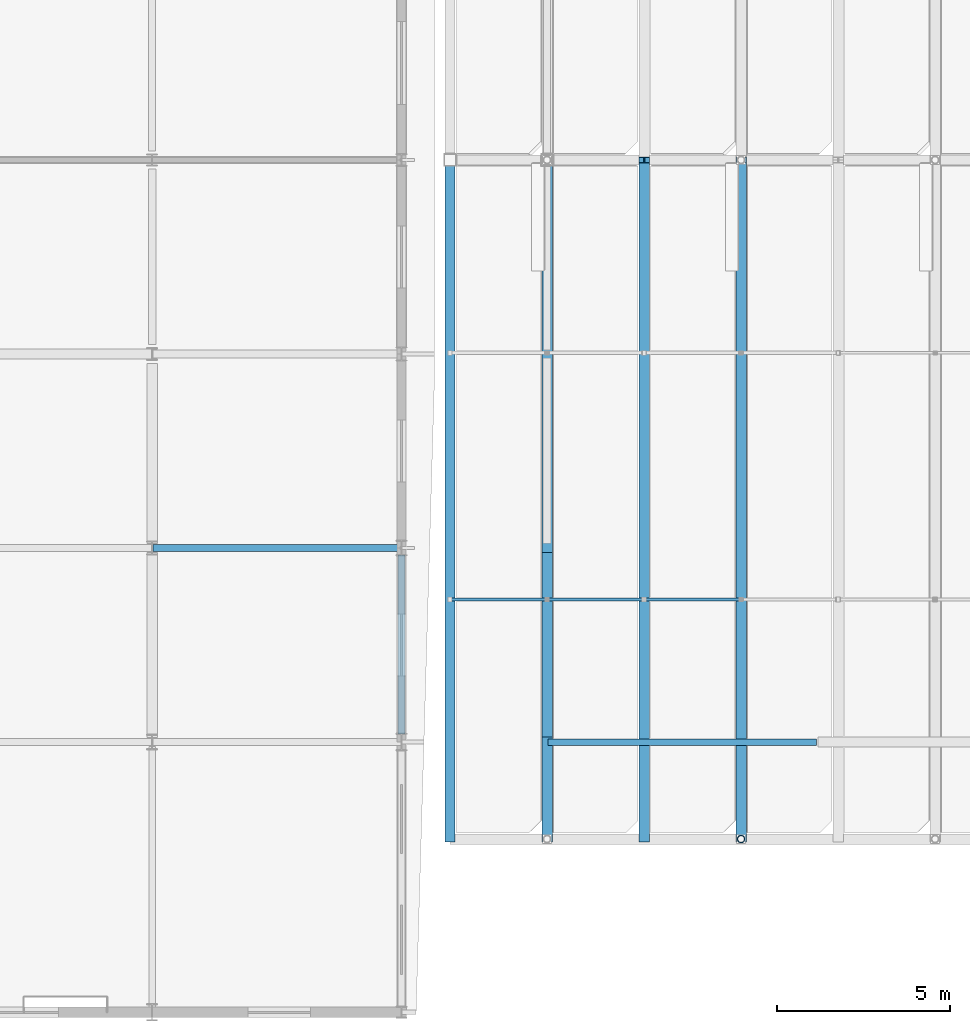
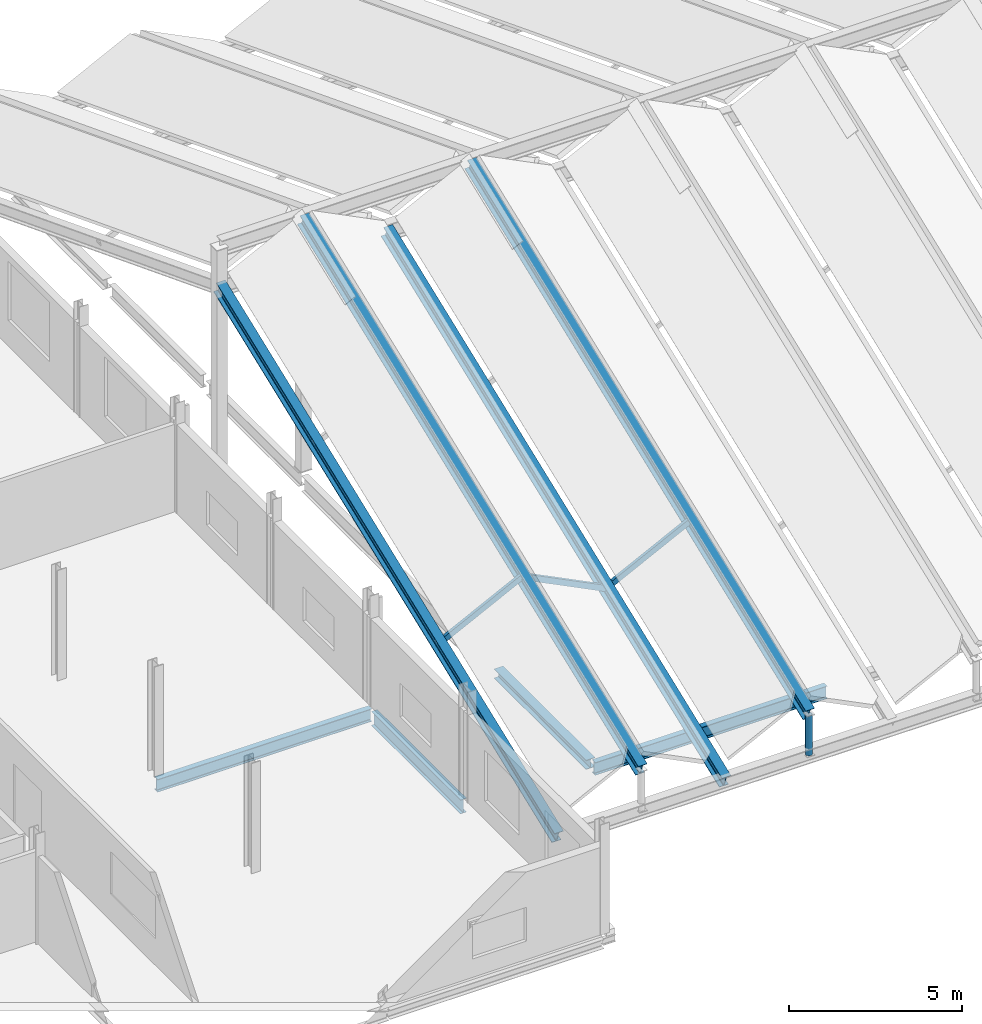
# One storey, part 9 of 49: 8 beams, 4 members.
"""IFC4 building model written with IfcOpenShell, lengths in metres."""

from ifc_helpers import new_model, si_unit, direction, frame, origin, origin_2d, place, context, subcontext, project, spatial, hollow_rectangle, hollow_circle, i_section, extrude, material, material_profile, profile_set, type_object, element, save


model = new_model("IFC4")

# Units and contexts
model_context = context("Model", 3, precision=1e-05, world=origin(), true_north=direction((0.0, 1.0)))
body_context = subcontext(model_context, "Body", "Model", "MODEL_VIEW")
ifc_project = project(units=[si_unit("LENGTHUNIT", "METRE"), si_unit("AREAUNIT", "SQUARE_METRE"), si_unit("VOLUMEUNIT", "CUBIC_METRE"), si_unit("PLANEANGLEUNIT", "RADIAN"), si_unit("MASSUNIT", "GRAM", prefix="KILO")], contexts=[model_context])

# Site, building, storey
site_placement = place(None, origin())
site = spatial("IfcSite", under=ifc_project, at=site_placement, CompositionType="ELEMENT")
building_placement = place(site_placement, origin())
building = spatial("IfcBuilding", under=site, at=building_placement, Name="Vinh Khe Railworks Police Headquarters", CompositionType="ELEMENT")
storey_placement = place(building_placement, frame((0.0, 0.0, 17.10009765625)))
storey = spatial("IfcBuildingStorey", under=building, at=storey_placement, Name="L04", CompositionType="ELEMENT", Elevation=17.10009765625)

# Members
ifc_material = material(Name="Steel S355JR", Category="steel")
ifc_material_profile_1 = material_profile(ifc_material, hollow_rectangle(XDim=0.10009765625, YDim=0.199951171875, WallThickness=0.010009765625, at=origin_2d()), Name="RHS 200x100x10")
ifc_profile_set_1 = profile_set([ifc_material_profile_1], Name="Steel S355JR")
member_type_1 = type_object("IfcMemberType", Name="Roof Purlin RHS 200x100x10", PredefinedType="PURLIN", material=ifc_profile_set_1)
member_1_placement = place(storey_placement, frame((23.60009765625, 29.31396484375, 2.459716796875), z_axis=(0.894427191, 0.0, 0.4472135955), x_axis=(0.0, 1.0, 0.0)))
element("IfcMember", 1, at=member_1_placement, inside=storey, type_object=member_type_1, Name="Folded Roof Purlin 001", PredefinedType="PURLIN", context=body_context, shape_type="SweptSolid", body=[
    extrude(hollow_rectangle(XDim=0.10009765625, YDim=0.199951171875, WallThickness=0.010009765625, at=origin_2d()), origin(), (0.0, 0.0, 1.0), 3.13037109375),
])
member_2_placement = place(storey_placement, frame((26.39990234375, 29.31396484375, 3.859619140625), z_axis=(0.894442788028, 0.0, -0.447182400083), x_axis=(0.0, 1.0, 0.0)))
element("IfcMember", 2, at=member_2_placement, inside=storey, type_object=member_type_1, Name="Folded Roof Purlin 005", PredefinedType="PURLIN", context=body_context, shape_type="SweptSolid", body=[
    extrude(hollow_rectangle(XDim=0.10009765625, YDim=0.199951171875, WallThickness=0.010009765625, at=origin_2d()), origin(), (0.0, 0.0, 1.0), 3.130615234375),
])
ifc_material_profile_2 = material_profile(ifc_material, hollow_rectangle(XDim=0.10009765625, YDim=0.199951171875, WallThickness=0.008056640625, at=origin_2d()), Name="RHS 200x100x8")
ifc_profile_set_2 = profile_set([ifc_material_profile_2], Name="Steel S355JR")
member_type_2 = type_object("IfcMemberType", Name="Roof Purlin RHS 200x100x8", PredefinedType="PURLIN", material=ifc_profile_set_2)
member_3_placement = place(storey_placement, frame((29.199951171875, 29.31396484375, 2.459716796875), z_axis=(0.894442788028, 0.0, 0.447182400083), x_axis=(0.0, 1.0, 0.0)))
element("IfcMember", 3, at=member_3_placement, inside=storey, type_object=member_type_2, Name="Folded Roof Purlin 009", PredefinedType="PURLIN", context=body_context, shape_type="SweptSolid", body=[
    extrude(hollow_rectangle(XDim=0.10009765625, YDim=0.199951171875, WallThickness=0.008056640625, at=origin_2d()), origin(), (0.0, 0.0, 1.0), 3.130615234375),
])
ifc_material_profile_3 = material_profile(ifc_material, hollow_circle(Radius=0.109619140625, WallThickness=0.012451171875, at=origin_2d()), Name="CHS 219.1x12.5")
ifc_profile_set_3 = profile_set([ifc_material_profile_3], Name="Steel S355JR")
member_type_3 = type_object("IfcMemberType", Name="Roof Strut CHS 219.1x12.5", PredefinedType="STRUT", material=ifc_profile_set_3)
member_4_placement = place(storey_placement, frame((32.0, 22.39990234375, -0.191162109375), z_axis=(0.0, 0.0, 1.0), x_axis=(1.0, 0.0, 0.0)))
element("IfcMember", 4, at=member_4_placement, inside=storey, type_object=member_type_3, Name="Folded Roof Strut 2S", PredefinedType="STRUT", context=body_context, shape_type="SweptSolid", body=[
    extrude(hollow_circle(Radius=0.109619140625, WallThickness=0.012451171875, at=origin_2d()), origin(), (0.0, 0.0, 1.0), 1.39990234375),
])

# Beams
ifc_material_profile_4 = material_profile(ifc_material, i_section(OverallWidth=0.300048828125, OverallDepth=0.330078125, WebThickness=0.009521484375, FlangeThickness=0.0166015625, FilletRadius=0.027099609375, at=origin_2d()), Name="HEA 340")
ifc_profile_set_4 = profile_set([ifc_material_profile_4], Name="Steel S355JR")
beam_type_1 = type_object("IfcBeamType", Name="Steel Girder HEA 340", PredefinedType="BEAM", material=ifc_profile_set_4)
beam_1_placement = place(storey_placement, frame((26.39990234375, 25.344970703125, -0.364990234375), z_axis=(0.0, 1.0, 0.0), x_axis=(-1.0, 0.0, 0.0)))
element("IfcBeam", 5, at=beam_1_placement, inside=storey, type_object=beam_type_1, Name="Girder BM-L04-NS-SB-16-1436", PredefinedType="BEAM", context=body_context, shape_type="SweptSolid", body=[
    extrude(i_section(OverallWidth=0.300048828125, OverallDepth=0.330078125, WebThickness=0.009521484375, FlangeThickness=0.0166015625, FilletRadius=0.027099609375, at=origin_2d()), origin(), (0.0, 0.0, 1.0), 5.330078125),
])
ifc_material_profile_5 = material_profile(ifc_material, i_section(OverallWidth=0.300048828125, OverallDepth=0.43994140625, WebThickness=0.011474609375, FlangeThickness=0.02099609375, FilletRadius=0.027099609375, at=origin_2d()), Name="HEA 450")
ifc_profile_set_5 = profile_set([ifc_material_profile_5], Name="Steel S355JR")
beam_type_2 = type_object("IfcBeamType", Name="Steel Girder HEA 450", PredefinedType="BEAM", material=ifc_profile_set_5)
for number, where, z_axis, x_axis, name in (
    (6, (26.39990234375, 22.39990234375, 1.208740234375), (0.0, 0.93236035026, 0.361530326893), (-1.0, 0.0, 0.0), "Folded Roof Ridge Girder 003 (S)"),
    (7, (32.0, 22.39990234375, 1.208740234375), (0.0, 0.93236035026, 0.361530326893), (-1.0, 0.0, 0.0), "Folded Roof Ridge Girder 007 (S)"),
):
    element("IfcBeam", number, at=place(storey_placement, frame(where, z_axis=z_axis, x_axis=x_axis)), inside=storey, type_object=beam_type_2, Name=name, PredefinedType="BEAM", context=body_context, shape_type="SweptSolid", body=[
        extrude(i_section(OverallWidth=0.300048828125, OverallDepth=0.43994140625, WebThickness=0.011474609375, FlangeThickness=0.02099609375, FilletRadius=0.027099609375, at=origin_2d()), origin(), (0.0, 0.0, 1.0), 21.02197265625),
    ])
ifc_material_profile_6 = material_profile(ifc_material, i_section(OverallWidth=0.300048828125, OverallDepth=0.449951171875, WebThickness=0.013916015625, FlangeThickness=0.02587890625, FilletRadius=0.027099609375, at=origin_2d()), Name="HEB 450")
ifc_profile_set_6 = profile_set([ifc_material_profile_6], Name="Steel S355JR")
beam_type_3 = type_object("IfcBeamType", Name="Steel Girder HEB 450", PredefinedType="BEAM", material=ifc_profile_set_6)
for number, where, z_axis, x_axis, name in (
    (8, (23.60009765625, 22.39990234375, -0.191162109375), (0.0, 0.932364264883, 0.361520231204), (-1.0, 0.0, 0.0), "Folded Roof Valley Girder 001 (S)"),
    (9, (29.199951171875, 22.39990234375, -0.191162109375), (0.0, 0.932364264883, 0.361520231204), (-1.0, 0.0, 0.0), "Folded Roof Valley Girder 005 (S)"),
):
    element("IfcBeam", number, at=place(storey_placement, frame(where, z_axis=z_axis, x_axis=x_axis)), inside=storey, type_object=beam_type_3, Name=name, PredefinedType="BEAM", context=body_context, shape_type="SweptSolid", body=[
        extrude(i_section(OverallWidth=0.300048828125, OverallDepth=0.449951171875, WebThickness=0.013916015625, FlangeThickness=0.02587890625, FilletRadius=0.027099609375, at=origin_2d()), origin(), (0.0, 0.0, 1.0), 21.02197265625),
    ])
ifc_material_profile_7 = material_profile(ifc_material, i_section(OverallWidth=0.18994140625, OverallDepth=0.449951171875, WebThickness=0.009521484375, FlangeThickness=0.0146484375, FilletRadius=0.02099609375, at=origin_2d()), Name="IPE 450")
ifc_profile_set_7 = profile_set([ifc_material_profile_7], Name="Steel S355JR")
beam_type_4 = type_object("IfcBeamType", Name="Steel Girder IPE 450", PredefinedType="BEAM", material=ifc_profile_set_7)
beam_2_placement = place(storey_placement, frame((26.419921875, 25.199951171875, -0.425048828125), z_axis=(1.0, 0.0, 0.0), x_axis=(0.0, 1.0, 0.0)))
element("IfcBeam", 10, at=beam_2_placement, inside=storey, type_object=beam_type_4, Name="Girder BM-L04-EW-SB-20-1290", PredefinedType="BEAM", context=body_context, shape_type="SweptSolid", body=[
    extrude(i_section(OverallWidth=0.18994140625, OverallDepth=0.449951171875, WebThickness=0.009521484375, FlangeThickness=0.0146484375, FilletRadius=0.02099609375, at=origin_2d()), origin(), (0.0, 0.0, 1.0), 7.760009765625),
])
beam_3_placement = place(storey_placement, frame((15.02001953125, 30.800048828125, -0.425048828125), z_axis=(1.0, 0.0, 0.0), x_axis=(0.0, 1.0, 0.0)))
element("IfcBeam", 11, at=beam_3_placement, inside=storey, type_object=beam_type_4, Name="Girder BM-L04-EW-SB-20-1296", PredefinedType="BEAM", context=body_context, shape_type="SweptSolid", body=[
    extrude(i_section(OverallWidth=0.18994140625, OverallDepth=0.449951171875, WebThickness=0.009521484375, FlangeThickness=0.0146484375, FilletRadius=0.02099609375, at=origin_2d()), origin(), (0.0, 0.0, 1.0), 7.159912109375),
])
ifc_material_profile_8 = material_profile(ifc_material, i_section(OverallWidth=0.199951171875, OverallDepth=0.5, WebThickness=0.01025390625, FlangeThickness=0.01611328125, FilletRadius=0.02099609375, at=origin_2d()), Name="IPE 500")
ifc_profile_set_8 = profile_set([ifc_material_profile_8], Name="Steel S355JR")
beam_type_5 = type_object("IfcBeamType", Name="Steel Girder IPE 500", PredefinedType="BEAM", material=ifc_profile_set_8)
beam_4_placement = place(storey_placement, frame((22.199951171875, 25.429931640625, -0.4501953125), z_axis=(0.0, 1.0, 0.0), x_axis=(-1.0, 0.0, 0.0)))
element("IfcBeam", 12, at=beam_4_placement, inside=storey, type_object=beam_type_5, Name="Girder BM-L04-NS-SB-19-1421", PredefinedType="BEAM", context=body_context, shape_type="SweptSolid", body=[
    extrude(i_section(OverallWidth=0.199951171875, OverallDepth=0.5, WebThickness=0.01025390625, FlangeThickness=0.01611328125, FilletRadius=0.02099609375, at=origin_2d()), origin(), (0.0, 0.0, 1.0), 5.1650390625),
])

save(model, "model.ifc")
